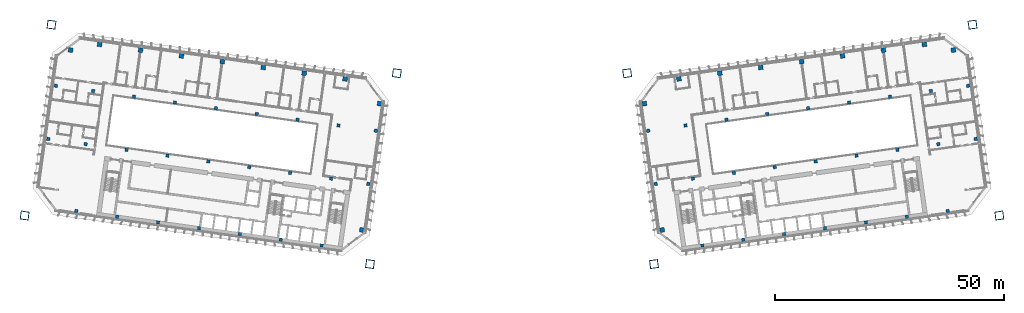
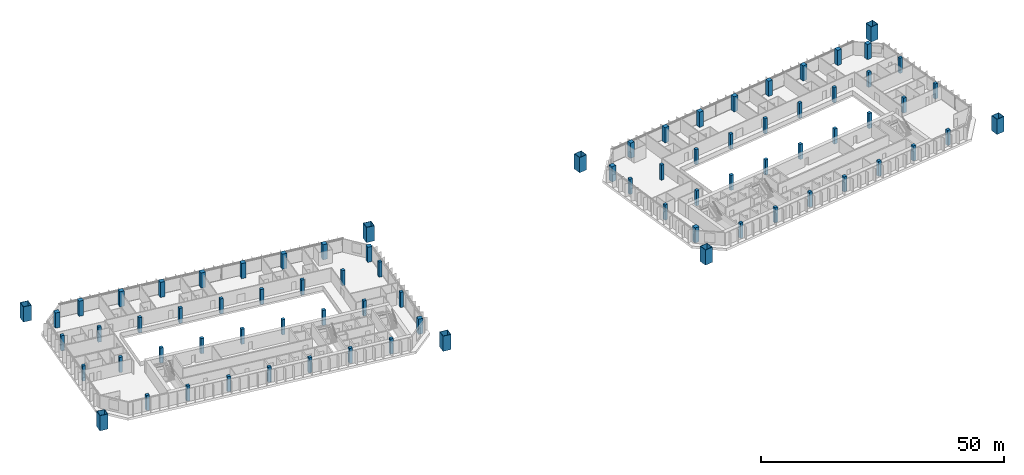
# One storey, part 1 of 24: 78 columns.
"""IFC4 building model written with IfcOpenShell, lengths in metres."""

from ifc_helpers import new_model, si_unit, direction, frame, origin, origin_2d, place, context, subcontext, project, spatial, rectangle, hollow_rectangle, extrude, material, material_profile, profile_set, type_object, element, save


model = new_model("IFC4")

# Units and contexts
model_context = context("Model", 3, precision=1e-05, world=origin(), true_north=direction((0.0, 1.0)))
body_context = subcontext(model_context, "Body", "Model", "MODEL_VIEW")
ifc_project = project(units=[si_unit("LENGTHUNIT", "METRE"), si_unit("AREAUNIT", "SQUARE_METRE"), si_unit("VOLUMEUNIT", "CUBIC_METRE"), si_unit("PLANEANGLEUNIT", "RADIAN"), si_unit("MASSUNIT", "GRAM", prefix="KILO")], contexts=[model_context])

# Site, building, storey
site_placement = place(None, origin())
site = spatial("IfcSite", under=ifc_project, at=site_placement, CompositionType="ELEMENT")
building_placement = place(site_placement, origin())
building = spatial("IfcBuilding", under=site, at=building_placement, Name="Mirante Cascada Hotel Towers", CompositionType="ELEMENT")
storey_placement = place(building_placement, frame((0.0, 0.0, 77.5)))
storey = spatial("IfcBuildingStorey", under=building, at=storey_placement, Name="L16", CompositionType="ELEMENT", Elevation=77.5)

# Columns
ifc_material_1 = material(Name="Steel ASTM A572 Gr 50", Category="steel")
ifc_material_profile_1 = material_profile(ifc_material_1, hollow_rectangle(XDim=1.8, YDim=1.8, WallThickness=0.08, at=origin_2d()), Name="Box column 1800x1800x80 ASTM A572 Gr 50")
ifc_profile_set_1 = profile_set([ifc_material_profile_1], Name="Steel ASTM A572 Gr 50")
column_type_1 = type_object("IfcColumnType", Name="Box column 1800x1800x80 ASTM A572 Gr 50", PredefinedType="COLUMN", material=ifc_profile_set_1)
for number, where, z_axis, x_axis, name in (
    (1, (-25.0968, 18.5173, 0.0), (0.0, 0.0, 1.0), (-0.9902681, 0.1391731, 0.0), "Mega column MC1 T1 L16"),
    (2, (-30.9421, -23.074, 0.0), (0.0, 0.0, 1.0), (-0.9902681, 0.1391731, 0.0), "Mega column MC2 T1 L16"),
    (3, (-100.3572, 29.0944, 0.0), (0.0, 0.0, 1.0), (-0.9902681, 0.1391731, 0.0), "Mega column MC3 T1 L16"),
    (4, (-106.2025, -12.4968, 0.0), (0.0, 0.0, 1.0), (-0.9902681, 0.1391731, 0.0), "Mega column MC4 T1 L16"),
    (5, (25.0968, 18.5173, 0.0), (0.0, 0.0, 1.0), (0.9902681, 0.1391731, 0.0), "Mega column MC1 T2 L16"),
    (6, (30.9421, -23.074, 0.0), (0.0, 0.0, 1.0), (0.9902681, 0.1391731, 0.0), "Mega column MC2 T2 L16"),
    (7, (100.3572, 29.0944, 0.0), (0.0, 0.0, 1.0), (0.9902681, 0.1391731, 0.0), "Mega column MC3 T2 L16"),
    (8, (106.2025, -12.4968, 0.0), (0.0, 0.0, 1.0), (0.9902681, 0.1391731, 0.0), "Mega column MC4 T2 L16"),
):
    element("IfcColumn", number, at=place(storey_placement, frame(where, z_axis=z_axis, x_axis=x_axis)), inside=storey, type_object=column_type_1, Name=name, PredefinedType="COLUMN", context=body_context, shape_type="SweptSolid", body=[
        extrude(hollow_rectangle(XDim=1.8, YDim=1.8, WallThickness=0.08, at=origin_2d()), origin(), (0.0, 0.0, 1.0), 3.8),
    ])
ifc_material_2 = material(Name="Concrete C60/75", Category="concrete")
ifc_material_profile_2 = material_profile(ifc_material_2, rectangle(XDim=1.0, YDim=1.0, at=origin_2d()), Name="RC column 1000x1000 C60/75")
ifc_profile_set_2 = profile_set([ifc_material_profile_2], Name="Concrete C60/75")
column_type_2 = type_object("IfcColumnType", Name="RC column 1000x1000 C60/75", PredefinedType="COLUMN", material=ifc_profile_set_2)
for number, where, z_axis, x_axis, name in (
    (9, (-28.8577, 11.8761, 0.0), (0.0, 0.0, 1.0), (-0.9902681, 0.1391731, 0.0), "Column T1 L16 1"),
    (10, (-32.7267, -15.6534, 0.0), (0.0, 0.0, 1.0), (-0.9902681, 0.1391731, 0.0), "Column T1 L16 4"),
    (11, (-36.3795, 17.2754, 0.0), (0.0, 0.0, 1.0), (-0.9902681, 0.1391731, 0.0), "Column T1 L16 5"),
    (12, (-45.2919, 18.528, 0.0), (0.0, 0.0, 1.0), (-0.9902681, 0.1391731, 0.0), "Column T1 L16 9"),
    (13, (-54.2043, 19.7806, 0.0), (0.0, 0.0, 1.0), (-0.9902681, 0.1391731, 0.0), "Column T1 L16 13"),
    (14, (-63.1167, 21.0331, 0.0), (0.0, 0.0, 1.0), (-0.9902681, 0.1391731, 0.0), "Column T1 L16 17"),
    (15, (-72.0291, 22.2857, 0.0), (0.0, 0.0, 1.0), (-0.9902681, 0.1391731, 0.0), "Column T1 L16 21"),
    (16, (-80.9415, 23.5382, 0.0), (0.0, 0.0, 1.0), (-0.9902681, 0.1391731, 0.0), "Column T1 L16 25"),
    (17, (-89.8539, 24.7908, 0.0), (0.0, 0.0, 1.0), (-0.9902681, 0.1391731, 0.0), "Column T1 L16 29"),
    (18, (-96.1868, 23.5602, 0.0), (0.0, 0.0, 1.0), (-0.9902681, 0.1391731, 0.0), "Column T1 L16 33"),
    (19, (28.8577, 11.8761, 0.0), (0.0, 0.0, 1.0), (0.9902681, 0.1391731, 0.0), "Column T2 L16 1"),
    (20, (32.7267, -15.6534, 0.0), (0.0, 0.0, 1.0), (0.9902681, 0.1391731, 0.0), "Column T2 L16 4"),
    (21, (36.3795, 17.2754, 0.0), (0.0, 0.0, 1.0), (0.9902681, 0.1391731, 0.0), "Column T2 L16 5"),
    (22, (45.2919, 18.528, 0.0), (0.0, 0.0, 1.0), (0.9902681, 0.1391731, 0.0), "Column T2 L16 9"),
    (23, (54.2043, 19.7806, 0.0), (0.0, 0.0, 1.0), (0.9902681, 0.1391731, 0.0), "Column T2 L16 13"),
    (24, (63.1167, 21.0331, 0.0), (0.0, 0.0, 1.0), (0.9902681, 0.1391731, 0.0), "Column T2 L16 17"),
    (25, (72.0291, 22.2857, 0.0), (0.0, 0.0, 1.0), (0.9902681, 0.1391731, 0.0), "Column T2 L16 21"),
    (26, (80.9415, 23.5382, 0.0), (0.0, 0.0, 1.0), (0.9902681, 0.1391731, 0.0), "Column T2 L16 25"),
    (27, (89.8539, 24.7908, 0.0), (0.0, 0.0, 1.0), (0.9902681, 0.1391731, 0.0), "Column T2 L16 29"),
    (28, (96.1868, 23.5602, 0.0), (0.0, 0.0, 1.0), (0.9902681, 0.1391731, 0.0), "Column T2 L16 33"),
):
    element("IfcColumn", number, at=place(storey_placement, frame(where, z_axis=z_axis, x_axis=x_axis)), inside=storey, type_object=column_type_2, Name=name, PredefinedType="COLUMN", context=body_context, shape_type="SweptSolid", body=[
        extrude(rectangle(XDim=1.0, YDim=1.0, at=origin_2d()), origin(), (0.0, 0.0, 1.0), 3.8),
    ])
ifc_material_3 = material(Name="Concrete C60/75", Category="concrete")
ifc_material_profile_3 = material_profile(ifc_material_3, rectangle(XDim=0.7, YDim=0.7, at=origin_2d()), Name="RC column 700x700 C60/75")
ifc_profile_set_3 = profile_set([ifc_material_profile_3], Name="Concrete C60/75")
column_type_3 = type_object("IfcColumnType", Name="RC column 700x700 C60/75", PredefinedType="COLUMN", material=ifc_profile_set_3)
for number, where, z_axis, x_axis, name in (
    (29, (-29.6858, 5.984, 0.0), (0.0, 0.0, 1.0), (-0.9902681, 0.1391731, 0.0), "Column T1 L16 2"),
    (30, (-31.3141, -5.6022, 0.0), (0.0, 0.0, 1.0), (-0.9902681, 0.1391731, 0.0), "Column T1 L16 3"),
    (31, (-37.806, 7.1252, 0.0), (0.0, 0.0, 1.0), (-0.9902681, 0.1391731, 0.0), "Column T1 L16 6"),
    (32, (-39.4343, -4.4609, 0.0), (0.0, 0.0, 1.0), (-0.9902681, 0.1391731, 0.0), "Column T1 L16 7"),
    (33, (-41.4802, -19.0179, 0.0), (0.0, 0.0, 1.0), (-0.9902681, 0.1391731, 0.0), "Column T1 L16 8"),
    (34, (-46.7184, 8.3777, 0.0), (0.0, 0.0, 1.0), (-0.9902681, 0.1391731, 0.0), "Column T1 L16 10"),
    (35, (-48.3467, -3.2084, 0.0), (0.0, 0.0, 1.0), (-0.9902681, 0.1391731, 0.0), "Column T1 L16 11"),
    (36, (-50.3926, -17.7653, 0.0), (0.0, 0.0, 1.0), (-0.9902681, 0.1391731, 0.0), "Column T1 L16 12"),
    (37, (-55.6308, 9.6303, 0.0), (0.0, 0.0, 1.0), (-0.9902681, 0.1391731, 0.0), "Column T1 L16 14"),
    (38, (-57.2591, -1.9558, 0.0), (0.0, 0.0, 1.0), (-0.9902681, 0.1391731, 0.0), "Column T1 L16 15"),
    (39, (-59.305, -16.5128, 0.0), (0.0, 0.0, 1.0), (-0.9902681, 0.1391731, 0.0), "Column T1 L16 16"),
    (40, (-64.5432, 10.8829, 0.0), (0.0, 0.0, 1.0), (-0.9902681, 0.1391731, 0.0), "Column T1 L16 18"),
    (41, (-66.1716, -0.7033, 0.0), (0.0, 0.0, 1.0), (-0.9902681, 0.1391731, 0.0), "Column T1 L16 19"),
    (42, (-68.2174, -15.2602, 0.0), (0.0, 0.0, 1.0), (-0.9902681, 0.1391731, 0.0), "Column T1 L16 20"),
    (43, (-73.4556, 12.1354, 0.0), (0.0, 0.0, 1.0), (-0.9902681, 0.1391731, 0.0), "Column T1 L16 22"),
    (44, (-75.084, 0.5493, 0.0), (0.0, 0.0, 1.0), (-0.9902681, 0.1391731, 0.0), "Column T1 L16 23"),
    (45, (-77.1298, -14.0077, 0.0), (0.0, 0.0, 1.0), (-0.9902681, 0.1391731, 0.0), "Column T1 L16 24"),
    (46, (-82.368, 13.388, 0.0), (0.0, 0.0, 1.0), (-0.9902681, 0.1391731, 0.0), "Column T1 L16 26"),
    (47, (-83.9964, 1.8018, 0.0), (0.0, 0.0, 1.0), (-0.9902681, 0.1391731, 0.0), "Column T1 L16 27"),
    (48, (-86.0422, -12.7551, 0.0), (0.0, 0.0, 1.0), (-0.9902681, 0.1391731, 0.0), "Column T1 L16 28"),
    (49, (-91.2805, 14.6405, 0.0), (0.0, 0.0, 1.0), (-0.9902681, 0.1391731, 0.0), "Column T1 L16 30"),
    (50, (-92.9088, 3.0544, 0.0), (0.0, 0.0, 1.0), (-0.9902681, 0.1391731, 0.0), "Column T1 L16 31"),
    (51, (-94.9546, -11.5025, 0.0), (0.0, 0.0, 1.0), (-0.9902681, 0.1391731, 0.0), "Column T1 L16 32"),
    (52, (-99.4007, 15.7818, 0.0), (0.0, 0.0, 1.0), (-0.9902681, 0.1391731, 0.0), "Column T1 L16 34"),
    (53, (-101.029, 4.1956, 0.0), (0.0, 0.0, 1.0), (-0.9902681, 0.1391731, 0.0), "Column T1 L16 35"),
    (54, (29.6858, 5.984, 0.0), (0.0, 0.0, 1.0), (0.9902681, 0.1391731, 0.0), "Column T2 L16 2"),
    (55, (31.3141, -5.6022, 0.0), (0.0, 0.0, 1.0), (0.9902681, 0.1391731, 0.0), "Column T2 L16 3"),
    (56, (37.806, 7.1252, 0.0), (0.0, 0.0, 1.0), (0.9902681, 0.1391731, 0.0), "Column T2 L16 6"),
    (57, (39.4343, -4.4609, 0.0), (0.0, 0.0, 1.0), (0.9902681, 0.1391731, 0.0), "Column T2 L16 7"),
    (58, (41.4802, -19.0179, 0.0), (0.0, 0.0, 1.0), (0.9902681, 0.1391731, 0.0), "Column T2 L16 8"),
    (59, (46.7184, 8.3777, 0.0), (0.0, 0.0, 1.0), (0.9902681, 0.1391731, 0.0), "Column T2 L16 10"),
    (60, (48.3467, -3.2084, 0.0), (0.0, 0.0, 1.0), (0.9902681, 0.1391731, 0.0), "Column T2 L16 11"),
    (61, (50.3926, -17.7653, 0.0), (0.0, 0.0, 1.0), (0.9902681, 0.1391731, 0.0), "Column T2 L16 12"),
    (62, (55.6308, 9.6303, 0.0), (0.0, 0.0, 1.0), (0.9902681, 0.1391731, 0.0), "Column T2 L16 14"),
    (63, (57.2591, -1.9558, 0.0), (0.0, 0.0, 1.0), (0.9902681, 0.1391731, 0.0), "Column T2 L16 15"),
    (64, (59.305, -16.5128, 0.0), (0.0, 0.0, 1.0), (0.9902681, 0.1391731, 0.0), "Column T2 L16 16"),
    (65, (64.5432, 10.8829, 0.0), (0.0, 0.0, 1.0), (0.9902681, 0.1391731, 0.0), "Column T2 L16 18"),
    (66, (66.1716, -0.7033, 0.0), (0.0, 0.0, 1.0), (0.9902681, 0.1391731, 0.0), "Column T2 L16 19"),
    (67, (68.2174, -15.2602, 0.0), (0.0, 0.0, 1.0), (0.9902681, 0.1391731, 0.0), "Column T2 L16 20"),
    (68, (73.4556, 12.1354, 0.0), (0.0, 0.0, 1.0), (0.9902681, 0.1391731, 0.0), "Column T2 L16 22"),
    (69, (75.084, 0.5493, 0.0), (0.0, 0.0, 1.0), (0.9902681, 0.1391731, 0.0), "Column T2 L16 23"),
    (70, (77.1298, -14.0077, 0.0), (0.0, 0.0, 1.0), (0.9902681, 0.1391731, 0.0), "Column T2 L16 24"),
    (71, (82.368, 13.388, 0.0), (0.0, 0.0, 1.0), (0.9902681, 0.1391731, 0.0), "Column T2 L16 26"),
    (72, (83.9964, 1.8018, 0.0), (0.0, 0.0, 1.0), (0.9902681, 0.1391731, 0.0), "Column T2 L16 27"),
    (73, (86.0422, -12.7551, 0.0), (0.0, 0.0, 1.0), (0.9902681, 0.1391731, 0.0), "Column T2 L16 28"),
    (74, (91.2805, 14.6405, 0.0), (0.0, 0.0, 1.0), (0.9902681, 0.1391731, 0.0), "Column T2 L16 30"),
    (75, (92.9088, 3.0544, 0.0), (0.0, 0.0, 1.0), (0.9902681, 0.1391731, 0.0), "Column T2 L16 31"),
    (76, (94.9546, -11.5025, 0.0), (0.0, 0.0, 1.0), (0.9902681, 0.1391731, 0.0), "Column T2 L16 32"),
    (77, (99.4007, 15.7818, 0.0), (0.0, 0.0, 1.0), (0.9902681, 0.1391731, 0.0), "Column T2 L16 34"),
    (78, (101.029, 4.1956, 0.0), (0.0, 0.0, 1.0), (0.9902681, 0.1391731, 0.0), "Column T2 L16 35"),
):
    element("IfcColumn", number, at=place(storey_placement, frame(where, z_axis=z_axis, x_axis=x_axis)), inside=storey, type_object=column_type_3, Name=name, PredefinedType="COLUMN", context=body_context, shape_type="SweptSolid", body=[
        extrude(rectangle(XDim=0.7, YDim=0.7, at=origin_2d()), origin(), (0.0, 0.0, 1.0), 3.8),
    ])

save(model, "model.ifc")
